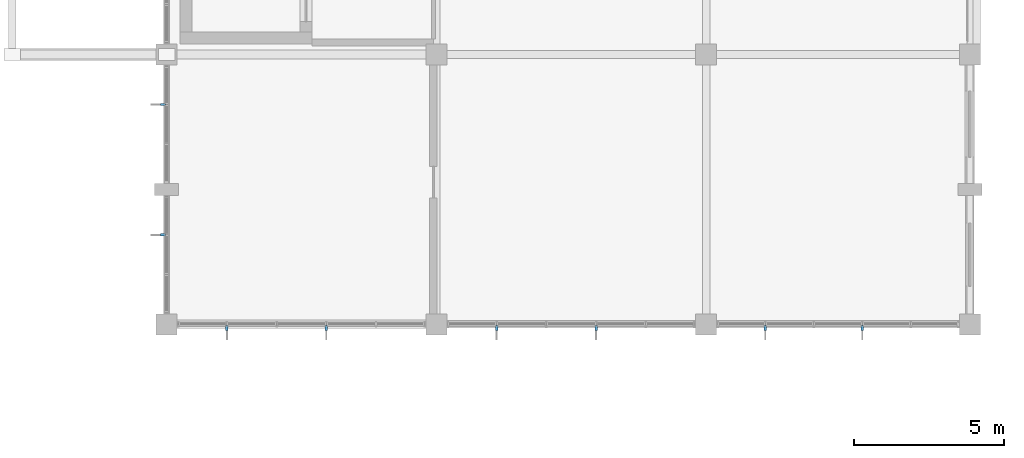
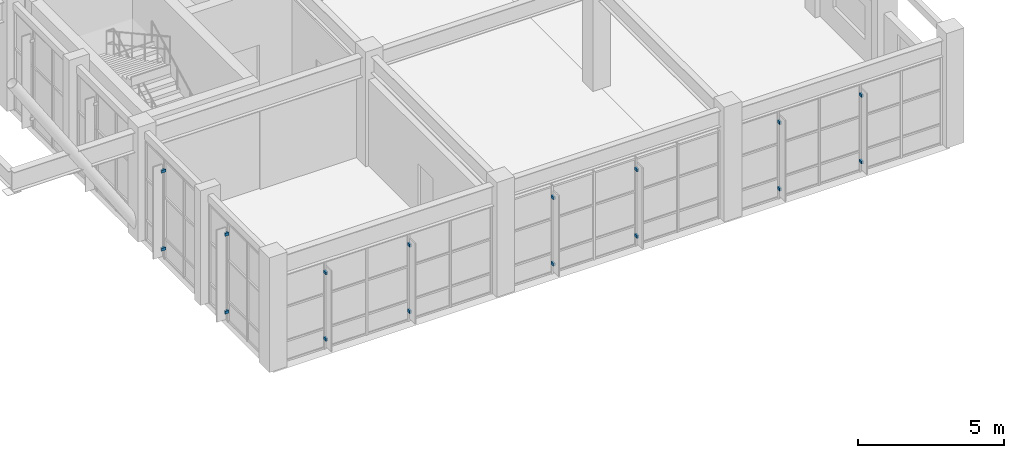
# One storey, part 87 of 99: 16 discrete accessories.
"""IFC4 building model written with IfcOpenShell, lengths in metres."""

from ifc_helpers import new_model, si_unit, direction, frame, origin, origin_2d, place, context, subcontext, project, spatial, rectangle, extrude, material, type_object, element, save


model = new_model("IFC4")

# Units and contexts
model_context = context("Model", 3, precision=1e-05, world=origin(), true_north=direction((0.0, 1.0)))
body_context = subcontext(model_context, "Body", "Model", "MODEL_VIEW")
ifc_project = project(units=[si_unit("LENGTHUNIT", "METRE"), si_unit("AREAUNIT", "SQUARE_METRE"), si_unit("VOLUMEUNIT", "CUBIC_METRE"), si_unit("PLANEANGLEUNIT", "RADIAN"), si_unit("MASSUNIT", "GRAM", prefix="KILO")], contexts=[model_context])

# Site, building, storey
site_placement = place(None, origin())
site = spatial("IfcSite", under=ifc_project, at=site_placement, CompositionType="ELEMENT")
building_placement = place(site_placement, origin())
building = spatial("IfcBuilding", under=site, at=building_placement, Name="Ventoquebrada Cableway Terminal", CompositionType="ELEMENT")
storey_placement = place(building_placement, frame((0.0, 0.0, 9.60009765625)))
storey = spatial("IfcBuildingStorey", under=building, at=storey_placement, Name="L02", CompositionType="ELEMENT", Elevation=9.60009765625)

# Discrete accessories
ifc_material = material(Name="Anodized thermally-broken aluminium", Category="aluminium")
discrete_accessory_type = type_object("IfcDiscreteAccessoryType", Name="BRK-01", PredefinedType="BRACKET", material=ifc_material)
for number, where, z_axis, x_axis, name in (
    (1, (10.212890625, 67.8798828125, 0.389892578125), (0.0, 0.0, 1.0), (1.0, 0.0, 0.0), "Sunshade bracket FN-013"),
    (2, (10.212890625, 67.8798828125, 3.1689453125), (0.0, 0.0, 1.0), (1.0, 0.0, 0.0), "Sunshade bracket FN-013"),
    (3, (13.529052734375, 67.8798828125, 0.389892578125), (0.0, 0.0, 1.0), (1.0, 0.0, 0.0), "Sunshade bracket FN-014"),
    (4, (13.529052734375, 67.8798828125, 3.1689453125), (0.0, 0.0, 1.0), (1.0, 0.0, 0.0), "Sunshade bracket FN-014"),
    (5, (19.212890625, 67.8798828125, 0.389892578125), (0.0, 0.0, 1.0), (1.0, 0.0, 0.0), "Sunshade bracket FN-015"),
    (6, (19.212890625, 67.8798828125, 3.1689453125), (0.0, 0.0, 1.0), (1.0, 0.0, 0.0), "Sunshade bracket FN-015"),
    (7, (22.529052734375, 67.8798828125, 0.389892578125), (0.0, 0.0, 1.0), (1.0, 0.0, 0.0), "Sunshade bracket FN-016"),
    (8, (22.529052734375, 67.8798828125, 3.1689453125), (0.0, 0.0, 1.0), (1.0, 0.0, 0.0), "Sunshade bracket FN-016"),
    (9, (28.173095703125, 67.8798828125, 0.389892578125), (0.0, 0.0, 1.0), (1.0, 0.0, 0.0), "Sunshade bracket FN-017"),
    (10, (28.173095703125, 67.8798828125, 3.1767578125), (0.0, 0.0, 1.0), (1.0, 0.0, 0.0), "Sunshade bracket FN-017"),
    (11, (31.408935546875, 67.8798828125, 0.389892578125), (0.0, 0.0, 1.0), (1.0, 0.0, 0.0), "Sunshade bracket FN-018"),
    (12, (31.408935546875, 67.8798828125, 3.1767578125), (0.0, 0.0, 1.0), (1.0, 0.0, 0.0), "Sunshade bracket FN-018"),
    (13, (8.080078125, 75.33203125, 0.389892578125), (0.0, 0.0, 1.0), (0.0, -1.0, 0.0), "Sunshade bracket FN-019"),
    (14, (8.080078125, 75.33203125, 3.64990234375), (0.0, 0.0, 1.0), (0.0, -1.0, 0.0), "Sunshade bracket FN-019"),
    (15, (8.080078125, 70.98193359375, 0.389892578125), (0.0, 0.0, 1.0), (0.0, -1.0, 0.0), "Sunshade bracket FN-020"),
    (16, (8.080078125, 70.98193359375, 3.64990234375), (0.0, 0.0, 1.0), (0.0, -1.0, 0.0), "Sunshade bracket FN-020"),
):
    element("IfcDiscreteAccessory", number, at=place(storey_placement, frame(where, z_axis=z_axis, x_axis=x_axis)), inside=storey, type_object=discrete_accessory_type, Name=name, PredefinedType="BRACKET", context=body_context, shape_type="SweptSolid", body=[
        extrude(rectangle(XDim=0.080078125, YDim=0.159912109375, at=origin_2d()), origin(), (0.0, 0.0, 1.0), 0.1201171875),
    ])

save(model, "model.ifc")
